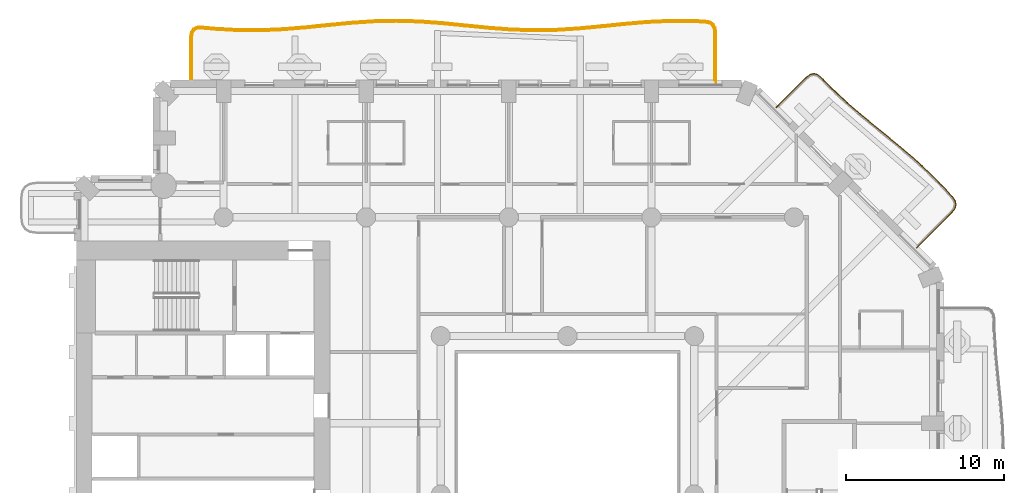
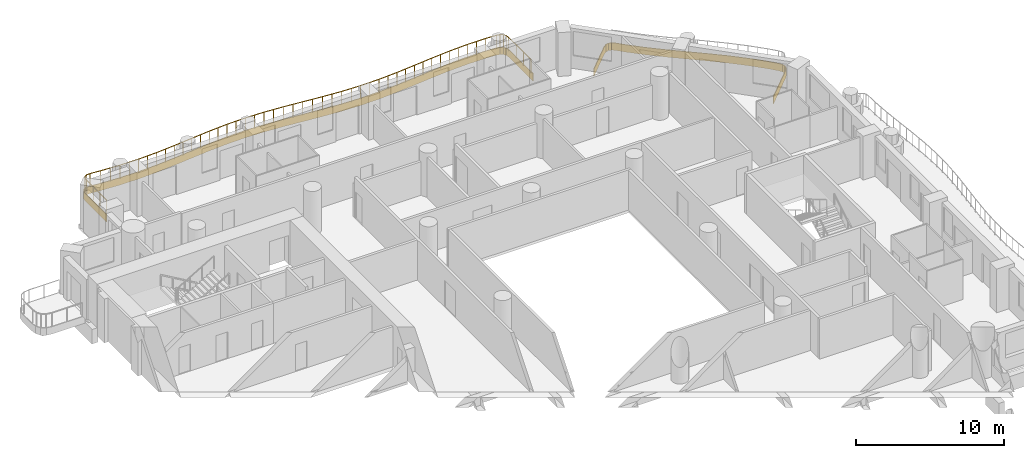
# One storey, part 18 of 20: 2 coverings, 1 railing.
"""IFC4 building model written with IfcOpenShell, lengths in metres."""

from ifc_helpers import new_model, si_unit, direction, frame, origin, origin_2d, place, context, subcontext, project, spatial, polyline, rectangle, outline, extrude, material, layer, layer_set, type_object, element, save


model = new_model("IFC4")

# Units and contexts
model_context = context("Model", 3, precision=1e-05, world=origin(), true_north=direction((0.0, 1.0)))
body_context = subcontext(model_context, "Body", "Model", "MODEL_VIEW")
ifc_project = project(units=[si_unit("LENGTHUNIT", "METRE"), si_unit("AREAUNIT", "SQUARE_METRE"), si_unit("VOLUMEUNIT", "CUBIC_METRE"), si_unit("PLANEANGLEUNIT", "RADIAN"), si_unit("MASSUNIT", "GRAM", prefix="KILO")], contexts=[model_context])

# Site, building, storey
site_placement = place(None, origin())
site = spatial("IfcSite", under=ifc_project, at=site_placement, CompositionType="ELEMENT")
building_placement = place(site_placement, origin())
building = spatial("IfcBuilding", under=site, at=building_placement, Name="Cypress Arch Tower", CompositionType="ELEMENT")
storey_placement = place(building_placement, frame((0.0, 0.0, 73.5)))
storey = spatial("IfcBuildingStorey", under=building, at=storey_placement, Name="L12", CompositionType="ELEMENT", Elevation=73.5)

# Coverings
ifc_material_1 = material(Name="White powder-coated aluminium fascia", Category="aluminium")
ifc_layer = layer(ifc_material_1, 0.050048828125)
ifc_layer_set = layer_set([ifc_layer], Name="Balcony fascia BF50")
covering_type = type_object("IfcCoveringType", Name="Balcony fascia BF50", PredefinedType="CLADDING", material=ifc_layer_set)
covering_1_placement = place(storey_placement, frame((0.0, 0.0, -0.60009765625)))
element("IfcCovering", 1, at=covering_1_placement, inside=storey, type_object=covering_type, Name="Balcony fascia L12-A07", PredefinedType="CLADDING", context=body_context, shape_type="SweptSolid", body=[
    extrude(outline(polyline([(16.069580078125, 26.3583984375), (16.300537109375, 26.531494140625), (16.541748046875, 26.590576171875), (16.78173828125, 26.52685546875), (17.009521484375, 26.349365234375), (17.539794921875, 25.798583984375), (18.5478515625, 24.850341796875), (19.597900390625, 23.943359375), (20.674072265625, 23.06103515625), (21.754150390625, 22.180908203125), (22.815185546875, 21.2802734375), (23.83837890625, 20.3408203125), (24.813720703125, 19.353271484375), (25.326904296875, 18.781982421875), (25.4892578125, 18.5400390625), (25.541259765625, 18.291015625), (25.47607421875, 18.044921875), (25.301025390625, 17.812255859375), (23.045166015625, 15.556396484375), (23.009765625, 15.591796875), (25.262939453125, 17.844970703125), (25.43017578125, 18.067138671875), (25.489990234375, 18.292236328125), (25.4423828125, 18.520263671875), (25.287353515625, 18.751220703125), (24.77734375, 19.31884765625), (23.8037109375, 20.3046875), (22.781982421875, 21.24267578125), (21.72216796875, 22.142578125), (20.642578125, 23.022216796875), (19.565673828125, 23.905029296875), (18.514404296875, 24.813232421875), (17.504638671875, 25.762939453125), (16.975830078125, 26.312255859375), (16.759033203125, 26.481201171875), (16.541259765625, 26.538818359375), (16.322265625, 26.4853515625), (16.1025390625, 26.320556640625), (14.191650390625, 24.40966796875), (14.15625, 24.445068359375), (16.069580078125, 26.3583984375)])), origin(), (0.0, 0.0, 1.0), 0.60009765625),
])
covering_2_placement = place(storey_placement, frame((0.0, 0.0, -0.60009765625)))
element("IfcCovering", 2, at=covering_2_placement, inside=storey, type_object=covering_type, Name="Balcony fascia L12-A08", PredefinedType="CLADDING", context=body_context, shape_type="SweptSolid", body=[
    extrude(outline(polyline([(-22.800048828125, 28.8857421875), (-22.757568359375, 29.1806640625), (-22.623046875, 29.393310546875), (-22.39892578125, 29.5078125), (-22.101318359375, 29.52294921875), (-21.30712890625, 29.449951171875), (-19.8701171875, 29.3671875), (-18.433349609375, 29.35400390625), (-16.99658203125, 29.413818359375), (-15.558837890625, 29.5322265625), (-14.1201171875, 29.679443359375), (-12.68017578125, 29.819580078125), (-11.2392578125, 29.91796875), (-9.797607421875, 29.94970703125), (-8.356201171875, 29.907470703125), (-6.915283203125, 29.801513671875), (-5.475341796875, 29.658203125), (-4.036865234375, 29.5126953125), (-2.599365234375, 29.4013671875), (-1.16259765625, 29.351318359375), (0.274169921875, 29.375), (1.711181640625, 29.46630859375), (3.1494140625, 29.603271484375), (4.5888671875, 29.751708984375), (6.029296875, 29.875), (7.470703125, 29.94287109375), (8.912353515625, 29.93798828125), (9.70849609375, 29.89599609375), (10.0048828125, 29.838134765625), (10.225341796875, 29.69384765625), (10.357666015625, 29.466064453125), (10.39990234375, 29.167236328125), (10.39990234375, 26.0009765625), (10.35009765625, 26.0009765625), (10.35009765625, 29.16357421875), (10.3095703125, 29.449462890625), (10.18798828125, 29.658447265625), (9.98583984375, 29.790771484375), (9.702392578125, 29.84619140625), (8.910888671875, 29.88818359375), (7.4716796875, 29.892822265625), (6.03271484375, 29.8251953125), (4.593505859375, 29.701904296875), (3.154296875, 29.553466796875), (1.71533203125, 29.41650390625), (0.276123046875, 29.324951171875), (-1.1630859375, 29.30126953125), (-2.602294921875, 29.351318359375), (-4.041259765625, 29.462890625), (-5.48046875, 29.6083984375), (-6.919677734375, 29.751708984375), (-8.358642578125, 29.857666015625), (-9.7978515625, 29.89990234375), (-11.237060546875, 29.867919921875), (-12.676025390625, 29.769775390625), (-14.115234375, 29.6298828125), (-15.554443359375, 29.482421875), (-16.993408203125, 29.364013671875), (-18.4326171875, 29.303955078125), (-19.871826171875, 29.317138671875), (-21.310791015625, 29.400146484375), (-22.102294921875, 29.472900390625), (-22.3857421875, 29.458251953125), (-22.588134765625, 29.35498046875), (-22.70947265625, 29.1630859375), (-22.75, 28.882080078125), (-22.75, 26.0009765625), (-22.800048828125, 26.0009765625), (-22.800048828125, 28.8857421875)])), origin(), (0.0, 0.0, 1.0), 0.60009765625),
])

# Railing
ifc_material_2 = material(Name="Powder-coated steel posts and rods, 100 mm clear between rods", Category="steel")
railing_type = type_object("IfcRailingType", Name="Balcony guard GR1100", PredefinedType="GUARDRAIL", material=ifc_material_2)
railing_placement = place(storey_placement, frame((-22.699951171875, 26.14990234375, 0.0)))
element("IfcRailing", 3, at=railing_placement, inside=storey, type_object=railing_type, Name="Balcony guard L12-A08", PredefinedType="GUARDRAIL", context=body_context, shape_type="SweptSolid", body=[
    extrude(rectangle(XDim=0.050048828125, YDim=0.050048828125, at=origin_2d()), frame((0.0, 0.0, 1.0751953125), z_axis=(0.0, 1.0, 0.0), x_axis=(-1.0, 0.0, 0.0)), (0.0, 0.0, 1.0), 2.728759765625),
    extrude(rectangle(XDim=0.050048828125, YDim=0.050048828125, at=origin_2d()), frame((0.0, 2.728759765625, 1.0751953125), z_axis=(0.142309601272, 0.989822194834, 0.0), x_axis=(-0.989822194834, 0.142309601272, 0.0)), (0.0, 0.0, 1.0), 0.269287109375),
    extrude(rectangle(XDim=0.050048828125, YDim=0.050048828125, at=origin_2d()), frame((0.038330078125, 2.995361328125, 1.0751953125), z_axis=(0.53453642892, 0.845145434915, 0.0), x_axis=(-0.845145434915, 0.53453642892, 0.0)), (0.0, 0.0, 1.0), 0.202880859375),
    extrude(rectangle(XDim=0.050048828125, YDim=0.050048828125, at=origin_2d()), frame((0.146728515625, 3.166748046875, 1.0751953125), z_axis=(0.890543032205, 0.454899008343, 0.0), x_axis=(-0.454899008343, 0.890543032205, 0.0)), (0.0, 0.0, 1.0), 0.202880859375),
    extrude(rectangle(XDim=0.050048828125, YDim=0.050048828125, at=origin_2d()), frame((0.327392578125, 3.259033203125, 1.0751953125), z_axis=(0.998664984942, 0.051655085428, 0.0), x_axis=(-0.051655085428, 0.998664984942, 0.0)), (0.0, 0.0, 1.0), 0.269287109375),
    extrude(rectangle(XDim=0.050048828125, YDim=0.050048828125, at=origin_2d()), frame((0.596435546875, 3.27294921875, 1.0751953125), z_axis=(0.995801759057, -0.091536094844, 0.0), x_axis=(0.091536094844, 0.995801759057, 0.0)), (0.0, 0.0, 1.0), 0.792236328125),
    extrude(rectangle(XDim=0.050048828125, YDim=0.050048828125, at=origin_2d()), frame((1.38525390625, 3.200439453125, 1.0751953125), z_axis=(0.998336199913, -0.05766135572, 0.0), x_axis=(0.05766135572, 0.998336199913, 0.0)), (0.0, 0.0, 1.0), 1.44384765625),
    extrude(rectangle(XDim=0.050048828125, YDim=0.050048828125, at=origin_2d()), frame((2.82666015625, 3.1171875, 1.0751953125), z_axis=(0.999958174843, -0.009145958916, 0.0), x_axis=(0.009145958916, 0.999958174843, 0.0)), (0.0, 0.0, 1.0), 1.44140625),
    extrude(rectangle(XDim=0.050048828125, YDim=0.050048828125, at=origin_2d()), frame((4.26806640625, 3.10400390625, 1.0751953125), z_axis=(0.999126019837, 0.041799479488, 0.0), x_axis=(-0.041799479488, 0.999126019837, 0.0)), (0.0, 0.0, 1.0), 1.442626953125),
    extrude(rectangle(XDim=0.050048828125, YDim=0.050048828125, at=origin_2d()), frame((5.70947265625, 3.164306640625, 1.0751953125), z_axis=(0.996639462423, 0.081913258647, 0.0), x_axis=(-0.081913258647, 0.996639462423, 0.0)), (0.0, 0.0, 1.0), 1.445556640625),
    extrude(rectangle(XDim=0.050048828125, YDim=0.050048828125, at=origin_2d()), frame((7.150146484375, 3.28271484375, 1.0751953125), z_axis=(0.994793726139, 0.101908990941, 0.0), x_axis=(-0.101908990941, 0.994793726139, 0.0)), (0.0, 0.0, 1.0), 1.447021484375),
    extrude(rectangle(XDim=0.050048828125, YDim=0.050048828125, at=origin_2d()), frame((8.589599609375, 3.43017578125, 1.0751953125), z_axis=(0.9953044498, 0.096793864517, 0.0), x_axis=(-0.096793864517, 0.9953044498, 0.0)), (0.0, 0.0, 1.0), 1.4453125),
    extrude(rectangle(XDim=0.050048828125, YDim=0.050048828125, at=origin_2d()), frame((10.028076171875, 3.570068359375, 1.0751953125), z_axis=(0.99768813432, 0.067958712734, 0.0), x_axis=(-0.067958712734, 0.99768813432, 0.0)), (0.0, 0.0, 1.0), 1.440673828125),
    extrude(rectangle(XDim=0.050048828125, YDim=0.050048828125, at=origin_2d()), frame((11.46533203125, 3.66796875, 1.0751953125), z_axis=(0.999752254456, 0.022258250397, 0.0), x_axis=(-0.022258250397, 0.999752254456, 0.0)), (0.0, 0.0, 1.0), 1.436767578125),
    extrude(rectangle(XDim=0.050048828125, YDim=0.050048828125, at=origin_2d()), frame((12.90185546875, 3.699951171875, 1.0751953125), z_axis=(0.999568194759, -0.029384077773, 0.0), x_axis=(0.029384077773, 0.999568194759, 0.0)), (0.0, 0.0, 1.0), 1.4375),
    extrude(rectangle(XDim=0.050048828125, YDim=0.050048828125, at=origin_2d()), frame((14.338623046875, 3.65771484375, 1.0751953125), z_axis=(0.99730689657, -0.073341352958, 0.0), x_axis=(0.073341352958, 0.99730689657, 0.0)), (0.0, 0.0, 1.0), 1.44140625),
    extrude(rectangle(XDim=0.050048828125, YDim=0.050048828125, at=origin_2d()), frame((15.776123046875, 3.552001953125, 1.0751953125), z_axis=(0.995073909169, -0.099135842614, 0.0), x_axis=(0.099135842614, 0.995073909169, 0.0)), (0.0, 0.0, 1.0), 1.445556640625),
    extrude(rectangle(XDim=0.050048828125, YDim=0.050048828125, at=origin_2d()), frame((17.214599609375, 3.40869140625, 1.0751953125), z_axis=(0.994931393591, -0.100556064199, 0.0), x_axis=(0.100556064199, 0.994931393591, 0.0)), (0.0, 0.0, 1.0), 1.447021484375),
    extrude(rectangle(XDim=0.050048828125, YDim=0.050048828125, at=origin_2d()), frame((18.654296875, 3.26318359375, 1.0751953125), z_axis=(0.997014596999, -0.077213297887, 0.0), x_axis=(0.077213297887, 0.997014596999, 0.0)), (0.0, 0.0, 1.0), 1.445068359375),
    extrude(rectangle(XDim=0.050048828125, YDim=0.050048828125, at=origin_2d()), frame((20.094970703125, 3.151611328125, 1.0751953125), z_axis=(0.999391843394, -0.03487037936, 0.0), x_axis=(0.03487037936, 0.999391843394, 0.0)), (0.0, 0.0, 1.0), 1.4423828125),
    extrude(rectangle(XDim=0.050048828125, YDim=0.050048828125, at=origin_2d()), frame((21.536376953125, 3.101318359375, 1.0751953125), z_axis=(0.999865108126, 0.01642454115, 0.0), x_axis=(-0.01642454115, 0.999865108126, 0.0)), (0.0, 0.0, 1.0), 1.44189453125),
    extrude(rectangle(XDim=0.050048828125, YDim=0.050048828125, at=origin_2d()), frame((22.97802734375, 3.125, 1.0751953125), z_axis=(0.997977534822, 0.063567601744, 0.0), x_axis=(-0.063567601744, 0.997977534822, 0.0)), (0.0, 0.0, 1.0), 1.444091796875),
    extrude(rectangle(XDim=0.050048828125, YDim=0.050048828125, at=origin_2d()), frame((24.419189453125, 3.216796875, 1.0751953125), z_axis=(0.995506844336, 0.094689613373, 0.0), x_axis=(-0.094689613373, 0.995506844336, 0.0)), (0.0, 0.0, 1.0), 1.446533203125),
    extrude(rectangle(XDim=0.050048828125, YDim=0.050048828125, at=origin_2d()), frame((25.859130859375, 3.353759765625, 1.0751953125), z_axis=(0.994721534839, 0.102611247571, 0.0), x_axis=(-0.102611247571, 0.994721534839, 0.0)), (0.0, 0.0, 1.0), 1.446533203125),
    extrude(rectangle(XDim=0.050048828125, YDim=0.050048828125, at=origin_2d()), frame((27.298095703125, 3.502197265625, 1.0751953125), z_axis=(0.99634335779, 0.085439530597, 0.0), x_axis=(-0.085439530597, 0.99634335779, 0.0)), (0.0, 0.0, 1.0), 1.443115234375),
    extrude(rectangle(XDim=0.050048828125, YDim=0.050048828125, at=origin_2d()), frame((28.73583984375, 3.62548828125, 1.0751953125), z_axis=(0.998902430091, 0.046839461554, 0.0), x_axis=(-0.046839461554, 0.998902430091, 0.0)), (0.0, 0.0, 1.0), 1.4384765625),
    extrude(rectangle(XDim=0.050048828125, YDim=0.050048828125, at=origin_2d()), frame((30.1728515625, 3.69287109375, 1.0751953125), z_axis=(0.999994786511, -0.003229079018, 0.0), x_axis=(0.003229079018, 0.999994786511, 0.0)), (0.0, 0.0, 1.0), 1.4365234375),
    extrude(rectangle(XDim=0.050048828125, YDim=0.050048828125, at=origin_2d()), frame((31.609375, 3.688232421875, 1.0751953125), z_axis=(0.998611831478, -0.052672668741, 0.0), x_axis=(0.052672668741, 0.998611831478, 0.0)), (0.0, 0.0, 1.0), 0.787841796875),
    extrude(rectangle(XDim=0.050048828125, YDim=0.050048828125, at=origin_2d()), frame((32.396240234375, 3.646728515625, 1.0751953125), z_axis=(0.981323594425, -0.1923642457, 0.0), x_axis=(0.1923642457, 0.981323594425, 0.0)), (0.0, 0.0, 1.0), 0.275390625),
    extrude(rectangle(XDim=0.050048828125, YDim=0.050048828125, at=origin_2d()), frame((32.66650390625, 3.59375, 1.0751953125), z_axis=(0.837301587834, -0.546741301724, 0.0), x_axis=(0.546741301724, 0.837301587834, 0.0)), (0.0, 0.0, 1.0), 0.22021484375),
    extrude(rectangle(XDim=0.050048828125, YDim=0.050048828125, at=origin_2d()), frame((32.850830078125, 3.473388671875, 1.0751953125), z_axis=(0.50221575172, -0.864742353955, 0.0), x_axis=(0.864742353955, 0.50221575172, 0.0)), (0.0, 0.0, 1.0), 0.22021484375),
    extrude(rectangle(XDim=0.050048828125, YDim=0.050048828125, at=origin_2d()), frame((32.96142578125, 3.282958984375, 1.0751953125), z_axis=(0.140056117845, -0.990143567294, 0.0), x_axis=(0.990143567294, 0.140056117845, 0.0)), (0.0, 0.0, 1.0), 0.275390625),
    extrude(rectangle(XDim=0.050048828125, YDim=0.050048828125, at=origin_2d()), frame((33.0, 3.01025390625, 1.0751953125), z_axis=(0.0, -1.0, 0.0), x_axis=(1.0, 0.0, 0.0)), (0.0, 0.0, 1.0), 3.01025390625),
    extrude(rectangle(XDim=0.0400390625, YDim=0.0400390625, at=origin_2d()), origin(), (0.0, 0.0, 1.0), 1.050048828125),
    extrude(rectangle(XDim=0.0400390625, YDim=0.0400390625, at=origin_2d()), frame((0.0, 0.90966796875, 0.0)), (0.0, 0.0, 1.0), 1.050048828125),
    extrude(rectangle(XDim=0.0400390625, YDim=0.0400390625, at=origin_2d()), frame((0.0, 1.819091796875, 0.0)), (0.0, 0.0, 1.0), 1.050048828125),
    extrude(rectangle(XDim=0.0400390625, YDim=0.0400390625, at=origin_2d()), frame((0.0, 2.728759765625, 0.0)), (0.0, 0.0, 1.0), 1.050048828125),
    extrude(rectangle(XDim=0.0400390625, YDim=0.0400390625, at=origin_2d()), frame((0.038330078125, 2.995361328125, 0.0)), (0.0, 0.0, 1.0), 1.050048828125),
    extrude(rectangle(XDim=0.0400390625, YDim=0.0400390625, at=origin_2d()), frame((0.146728515625, 3.166748046875, 0.0)), (0.0, 0.0, 1.0), 1.050048828125),
    extrude(rectangle(XDim=0.0400390625, YDim=0.0400390625, at=origin_2d()), frame((0.327392578125, 3.259033203125, 0.0)), (0.0, 0.0, 1.0), 1.050048828125),
    extrude(rectangle(XDim=0.0400390625, YDim=0.0400390625, at=origin_2d()), frame((0.596435546875, 3.27294921875, 0.0)), (0.0, 0.0, 1.0), 1.050048828125),
    extrude(rectangle(XDim=0.0400390625, YDim=0.0400390625, at=origin_2d()), frame((1.38525390625, 3.200439453125, 0.0)), (0.0, 0.0, 1.0), 1.050048828125),
    extrude(rectangle(XDim=0.0400390625, YDim=0.0400390625, at=origin_2d()), frame((2.10595703125, 3.15869140625, 0.0)), (0.0, 0.0, 1.0), 1.050048828125),
    extrude(rectangle(XDim=0.0400390625, YDim=0.0400390625, at=origin_2d()), frame((2.82666015625, 3.1171875, 0.0)), (0.0, 0.0, 1.0), 1.050048828125),
    extrude(rectangle(XDim=0.0400390625, YDim=0.0400390625, at=origin_2d()), frame((3.54736328125, 3.110595703125, 0.0)), (0.0, 0.0, 1.0), 1.050048828125),
    extrude(rectangle(XDim=0.0400390625, YDim=0.0400390625, at=origin_2d()), frame((4.26806640625, 3.10400390625, 0.0)), (0.0, 0.0, 1.0), 1.050048828125),
    extrude(rectangle(XDim=0.0400390625, YDim=0.0400390625, at=origin_2d()), frame((4.98876953125, 3.13427734375, 0.0)), (0.0, 0.0, 1.0), 1.050048828125),
    extrude(rectangle(XDim=0.0400390625, YDim=0.0400390625, at=origin_2d()), frame((5.70947265625, 3.164306640625, 0.0)), (0.0, 0.0, 1.0), 1.050048828125),
    extrude(rectangle(XDim=0.0400390625, YDim=0.0400390625, at=origin_2d()), frame((6.4296875, 3.2236328125, 0.0)), (0.0, 0.0, 1.0), 1.050048828125),
    extrude(rectangle(XDim=0.0400390625, YDim=0.0400390625, at=origin_2d()), frame((7.150146484375, 3.28271484375, 0.0)), (0.0, 0.0, 1.0), 1.050048828125),
    extrude(rectangle(XDim=0.0400390625, YDim=0.0400390625, at=origin_2d()), frame((7.869873046875, 3.3564453125, 0.0)), (0.0, 0.0, 1.0), 1.050048828125),
    extrude(rectangle(XDim=0.0400390625, YDim=0.0400390625, at=origin_2d()), frame((8.589599609375, 3.43017578125, 0.0)), (0.0, 0.0, 1.0), 1.050048828125),
    extrude(rectangle(XDim=0.0400390625, YDim=0.0400390625, at=origin_2d()), frame((9.308837890625, 3.5, 0.0)), (0.0, 0.0, 1.0), 1.050048828125),
    extrude(rectangle(XDim=0.0400390625, YDim=0.0400390625, at=origin_2d()), frame((10.028076171875, 3.570068359375, 0.0)), (0.0, 0.0, 1.0), 1.050048828125),
    extrude(rectangle(XDim=0.0400390625, YDim=0.0400390625, at=origin_2d()), frame((10.74658203125, 3.619140625, 0.0)), (0.0, 0.0, 1.0), 1.050048828125),
    extrude(rectangle(XDim=0.0400390625, YDim=0.0400390625, at=origin_2d()), frame((11.46533203125, 3.66796875, 0.0)), (0.0, 0.0, 1.0), 1.050048828125),
    extrude(rectangle(XDim=0.0400390625, YDim=0.0400390625, at=origin_2d()), frame((12.18359375, 3.68408203125, 0.0)), (0.0, 0.0, 1.0), 1.050048828125),
    extrude(rectangle(XDim=0.0400390625, YDim=0.0400390625, at=origin_2d()), frame((12.90185546875, 3.699951171875, 0.0)), (0.0, 0.0, 1.0), 1.050048828125),
    extrude(rectangle(XDim=0.0400390625, YDim=0.0400390625, at=origin_2d()), frame((13.6201171875, 3.6787109375, 0.0)), (0.0, 0.0, 1.0), 1.050048828125),
    extrude(rectangle(XDim=0.0400390625, YDim=0.0400390625, at=origin_2d()), frame((14.338623046875, 3.65771484375, 0.0)), (0.0, 0.0, 1.0), 1.050048828125),
    extrude(rectangle(XDim=0.0400390625, YDim=0.0400390625, at=origin_2d()), frame((15.057373046875, 3.60498046875, 0.0)), (0.0, 0.0, 1.0), 1.050048828125),
    extrude(rectangle(XDim=0.0400390625, YDim=0.0400390625, at=origin_2d()), frame((15.776123046875, 3.552001953125, 0.0)), (0.0, 0.0, 1.0), 1.050048828125),
    extrude(rectangle(XDim=0.0400390625, YDim=0.0400390625, at=origin_2d()), frame((16.495361328125, 3.48046875, 0.0)), (0.0, 0.0, 1.0), 1.050048828125),
    extrude(rectangle(XDim=0.0400390625, YDim=0.0400390625, at=origin_2d()), frame((17.214599609375, 3.40869140625, 0.0)), (0.0, 0.0, 1.0), 1.050048828125),
    extrude(rectangle(XDim=0.0400390625, YDim=0.0400390625, at=origin_2d()), frame((17.9345703125, 3.3359375, 0.0)), (0.0, 0.0, 1.0), 1.050048828125),
    extrude(rectangle(XDim=0.0400390625, YDim=0.0400390625, at=origin_2d()), frame((18.654296875, 3.26318359375, 0.0)), (0.0, 0.0, 1.0), 1.050048828125),
    extrude(rectangle(XDim=0.0400390625, YDim=0.0400390625, at=origin_2d()), frame((19.37451171875, 3.20751953125, 0.0)), (0.0, 0.0, 1.0), 1.050048828125),
    extrude(rectangle(XDim=0.0400390625, YDim=0.0400390625, at=origin_2d()), frame((20.094970703125, 3.151611328125, 0.0)), (0.0, 0.0, 1.0), 1.050048828125),
    extrude(rectangle(XDim=0.0400390625, YDim=0.0400390625, at=origin_2d()), frame((20.815673828125, 3.12646484375, 0.0)), (0.0, 0.0, 1.0), 1.050048828125),
    extrude(rectangle(XDim=0.0400390625, YDim=0.0400390625, at=origin_2d()), frame((21.536376953125, 3.101318359375, 0.0)), (0.0, 0.0, 1.0), 1.050048828125),
    extrude(rectangle(XDim=0.0400390625, YDim=0.0400390625, at=origin_2d()), frame((22.25732421875, 3.11328125, 0.0)), (0.0, 0.0, 1.0), 1.050048828125),
    extrude(rectangle(XDim=0.0400390625, YDim=0.0400390625, at=origin_2d()), frame((22.97802734375, 3.125, 0.0)), (0.0, 0.0, 1.0), 1.050048828125),
    extrude(rectangle(XDim=0.0400390625, YDim=0.0400390625, at=origin_2d()), frame((23.69873046875, 3.1708984375, 0.0)), (0.0, 0.0, 1.0), 1.050048828125),
    extrude(rectangle(XDim=0.0400390625, YDim=0.0400390625, at=origin_2d()), frame((24.419189453125, 3.216796875, 0.0)), (0.0, 0.0, 1.0), 1.050048828125),
    extrude(rectangle(XDim=0.0400390625, YDim=0.0400390625, at=origin_2d()), frame((25.13916015625, 3.28515625, 0.0)), (0.0, 0.0, 1.0), 1.050048828125),
    extrude(rectangle(XDim=0.0400390625, YDim=0.0400390625, at=origin_2d()), frame((25.859130859375, 3.353759765625, 0.0)), (0.0, 0.0, 1.0), 1.050048828125),
    extrude(rectangle(XDim=0.0400390625, YDim=0.0400390625, at=origin_2d()), frame((26.57861328125, 3.427978515625, 0.0)), (0.0, 0.0, 1.0), 1.050048828125),
    extrude(rectangle(XDim=0.0400390625, YDim=0.0400390625, at=origin_2d()), frame((27.298095703125, 3.502197265625, 0.0)), (0.0, 0.0, 1.0), 1.050048828125),
    extrude(rectangle(XDim=0.0400390625, YDim=0.0400390625, at=origin_2d()), frame((28.01708984375, 3.56396484375, 0.0)), (0.0, 0.0, 1.0), 1.050048828125),
    extrude(rectangle(XDim=0.0400390625, YDim=0.0400390625, at=origin_2d()), frame((28.73583984375, 3.62548828125, 0.0)), (0.0, 0.0, 1.0), 1.050048828125),
    extrude(rectangle(XDim=0.0400390625, YDim=0.0400390625, at=origin_2d()), frame((29.454345703125, 3.6591796875, 0.0)), (0.0, 0.0, 1.0), 1.050048828125),
    extrude(rectangle(XDim=0.0400390625, YDim=0.0400390625, at=origin_2d()), frame((30.1728515625, 3.69287109375, 0.0)), (0.0, 0.0, 1.0), 1.050048828125),
    extrude(rectangle(XDim=0.0400390625, YDim=0.0400390625, at=origin_2d()), frame((30.89111328125, 3.6904296875, 0.0)), (0.0, 0.0, 1.0), 1.050048828125),
    extrude(rectangle(XDim=0.0400390625, YDim=0.0400390625, at=origin_2d()), frame((31.609375, 3.688232421875, 0.0)), (0.0, 0.0, 1.0), 1.050048828125),
    extrude(rectangle(XDim=0.0400390625, YDim=0.0400390625, at=origin_2d()), frame((32.396240234375, 3.646728515625, 0.0)), (0.0, 0.0, 1.0), 1.050048828125),
    extrude(rectangle(XDim=0.0400390625, YDim=0.0400390625, at=origin_2d()), frame((32.66650390625, 3.59375, 0.0)), (0.0, 0.0, 1.0), 1.050048828125),
    extrude(rectangle(XDim=0.0400390625, YDim=0.0400390625, at=origin_2d()), frame((32.850830078125, 3.473388671875, 0.0)), (0.0, 0.0, 1.0), 1.050048828125),
    extrude(rectangle(XDim=0.0400390625, YDim=0.0400390625, at=origin_2d()), frame((32.96142578125, 3.282958984375, 0.0)), (0.0, 0.0, 1.0), 1.050048828125),
    extrude(rectangle(XDim=0.0400390625, YDim=0.0400390625, at=origin_2d()), frame((33.0, 3.01025390625, 0.0)), (0.0, 0.0, 1.0), 1.050048828125),
    extrude(rectangle(XDim=0.0400390625, YDim=0.0400390625, at=origin_2d()), frame((33.0, 2.0068359375, 0.0)), (0.0, 0.0, 1.0), 1.050048828125),
    extrude(rectangle(XDim=0.0400390625, YDim=0.0400390625, at=origin_2d()), frame((33.0, 1.00341796875, 0.0)), (0.0, 0.0, 1.0), 1.050048828125),
    extrude(rectangle(XDim=0.0400390625, YDim=0.0400390625, at=origin_2d()), frame((33.0, 0.0, 0.0)), (0.0, 0.0, 1.0), 1.050048828125),
])

save(model, "model.ifc")
